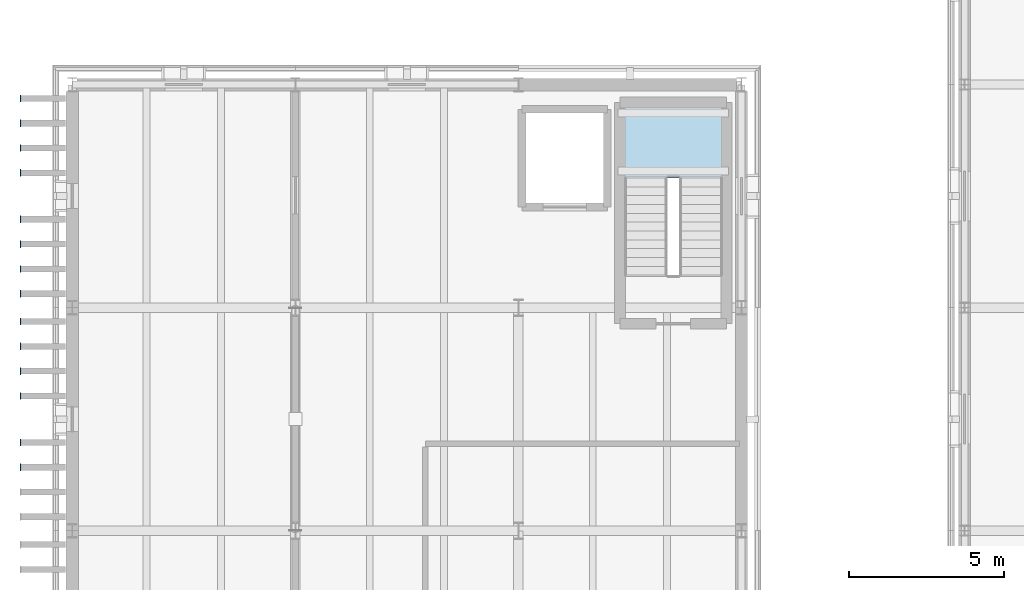
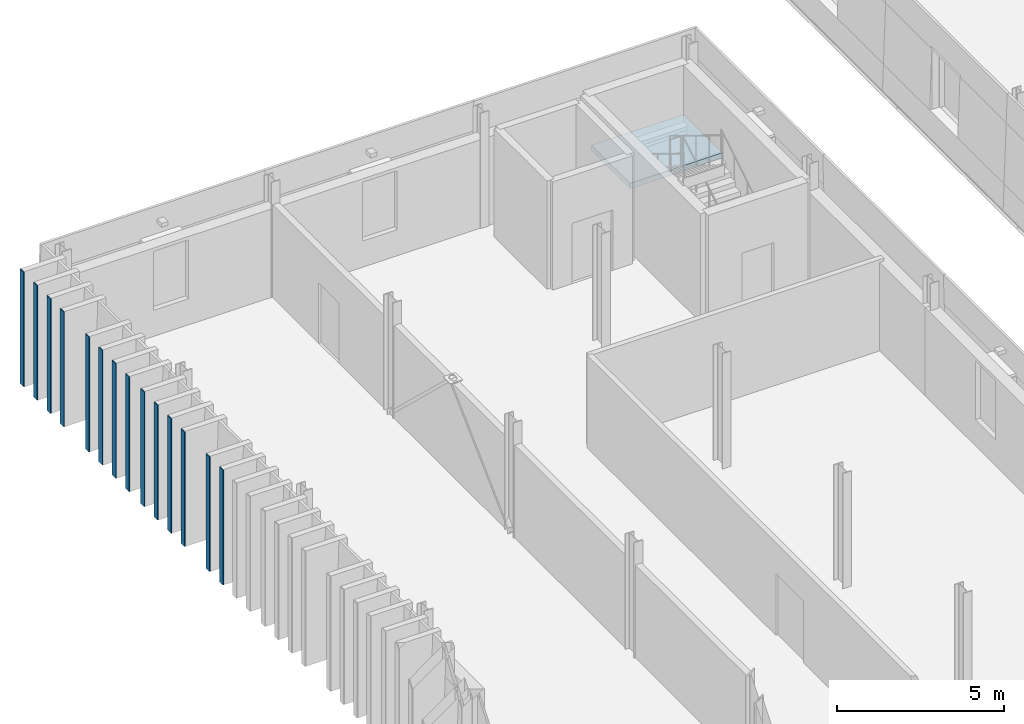
# One storey, part 47 of 91: 14 plates, 1 slab, 1 element without a shape of its own.
"""IFC4 building model written with IfcOpenShell, lengths in metres."""

from ifc_helpers import new_model, si_unit, direction, frame, origin, origin_2d, place, context, subcontext, project, spatial, polyline, rectangle, outline, extrude, material, layer, layer_set, type_object, element, aggregate, save


model = new_model("IFC4")

# Units and contexts
model_context = context("Model", 3, precision=1e-05, world=origin(), true_north=direction((0.0, 1.0)))
body_context = subcontext(model_context, "Body", "Model", "MODEL_VIEW")
ifc_project = project(units=[si_unit("LENGTHUNIT", "METRE"), si_unit("AREAUNIT", "SQUARE_METRE"), si_unit("VOLUMEUNIT", "CUBIC_METRE"), si_unit("PLANEANGLEUNIT", "RADIAN"), si_unit("MASSUNIT", "GRAM", prefix="KILO")], contexts=[model_context])

# Site, building, storey
site_placement = place(None, origin())
site = spatial("IfcSite", under=ifc_project, at=site_placement, CompositionType="ELEMENT")
building_placement = place(site_placement, origin())
building = spatial("IfcBuilding", under=site, at=building_placement, Name="Narikvali Park Central Library", CompositionType="ELEMENT")
storey_placement = place(building_placement, frame((0.0, 0.0, 14.39990234375)))
storey = spatial("IfcBuildingStorey", under=building, at=storey_placement, Name="L03", CompositionType="ELEMENT", Elevation=14.39990234375)

# Stair, slab
ifc_material_1 = material(Name="Concrete C35/45", Category="concrete")
stair_type = type_object("IfcStairType", Name="Core Enclosed Two-Flight Exit Stair", PredefinedType="HALF_TURN_STAIR", material=ifc_material_1)
stair_placement = place(storey_placement, origin())
stair = element("IfcStair", 1, at=stair_placement, inside=storey, type_object=stair_type, Name="L03 Exit Stair ST-10", PredefinedType="HALF_TURN_STAIR")
ifc_layer_1 = layer(ifc_material_1, 0.199951171875, Name="Concrete C35/45")
ifc_layer_set_1 = layer_set([ifc_layer_1], Name="Concrete C35/45")
slab_type = type_object("IfcSlabType", Name="Stair Half-Landing Concrete Slab 200", PredefinedType="LANDING", material=ifc_layer_set_1)
slab_placement = place(storey_placement, frame((0.0, 0.0, 1.900146484375)))
slab = element("IfcSlab", 2, at=slab_placement, type_object=slab_type, Name="ST-10 landing 1", PredefinedType="LANDING", context=body_context, shape_type="SweptSolid", body=[
    extrude(outline(polyline([(21.0, 104.985107421875), (21.0, 107.300048828125), (17.800048828125, 107.300048828125), (17.800048828125, 104.985107421875), (21.0, 104.985107421875)])), origin(), (0.0, 0.0, 1.0), 0.199951171875),
])
aggregate(stair, [slab])

# Plates
ifc_material_2 = material(Name="Anodised Bronze Aluminium", Category="aluminium")
ifc_layer_2 = layer(ifc_material_2, 0.028076171875, Name="Anodised Bronze Aluminium")
ifc_layer_set_2 = layer_set([ifc_layer_2], Name="Anodised Bronze Aluminium")
plate_type = type_object("IfcPlateType", Name="Vertical Brick Fin Bronze Bullnose Cap 28", PredefinedType="SHEET", material=ifc_layer_set_2)
for number, where, z_axis, x_axis, name in (
    (3, (-1.672119140625, 95.64990234375, 0.01025390625), (0.0, 0.0, 1.0), (1.0, 0.0, 0.0), "West Stacks Fin Bullnose Trim 424"),
    (4, (-1.672119140625, 96.449951171875, 0.01025390625), (0.0, 0.0, 1.0), (1.0, 0.0, 0.0), "West Stacks Fin Bullnose Trim 430"),
    (5, (-1.672119140625, 97.949951171875, 0.01025390625), (0.0, 0.0, 1.0), (1.0, 0.0, 0.0), "West Stacks Fin Bullnose Trim 436"),
    (6, (-1.672119140625, 98.75, 0.01025390625), (0.0, 0.0, 1.0), (1.0, 0.0, 0.0), "West Stacks Fin Bullnose Trim 442"),
    (7, (-1.672119140625, 99.550048828125, 0.01025390625), (0.0, 0.0, 1.0), (1.0, 0.0, 0.0), "West Stacks Fin Bullnose Trim 448"),
    (8, (-1.672119140625, 100.35009765625, 0.01025390625), (0.0, 0.0, 1.0), (1.0, 0.0, 0.0), "West Stacks Fin Bullnose Trim 454"),
    (9, (-1.672119140625, 101.25, 0.01025390625), (0.0, 0.0, 1.0), (1.0, 0.0, 0.0), "West Stacks Fin Bullnose Trim 460"),
    (10, (-1.672119140625, 102.050048828125, 0.01025390625), (0.0, 0.0, 1.0), (1.0, 0.0, 0.0), "West Stacks Fin Bullnose Trim 466"),
    (11, (-1.672119140625, 102.85009765625, 0.01025390625), (0.0, 0.0, 1.0), (1.0, 0.0, 0.0), "West Stacks Fin Bullnose Trim 472"),
    (12, (-1.672119140625, 103.64990234375, 0.01025390625), (0.0, 0.0, 1.0), (1.0, 0.0, 0.0), "West Stacks Fin Bullnose Trim 478"),
    (13, (-1.672119140625, 105.14990234375, 0.01025390625), (0.0, 0.0, 1.0), (1.0, 0.0, 0.0), "West Stacks Fin Bullnose Trim 484"),
    (14, (-1.672119140625, 105.949951171875, 0.01025390625), (0.0, 0.0, 1.0), (1.0, 0.0, 0.0), "West Stacks Fin Bullnose Trim 490"),
    (15, (-1.672119140625, 106.75, 0.01025390625), (0.0, 0.0, 1.0), (1.0, 0.0, 0.0), "West Stacks Fin Bullnose Trim 496"),
    (16, (-1.672119140625, 107.550048828125, 0.01025390625), (0.0, 0.0, 1.0), (1.0, 0.0, 0.0), "West Stacks Fin Bullnose Trim 502"),
):
    element("IfcPlate", number, at=place(storey_placement, frame(where, z_axis=z_axis, x_axis=x_axis)), inside=storey, type_object=plate_type, Name=name, PredefinedType="SHEET", context=body_context, shape_type="SweptSolid", body=[
        extrude(rectangle(XDim=0.028076171875, YDim=0.219970703125, at=origin_2d()), origin(), (0.0, 0.0, 1.0), 4.179931640625),
    ])

save(model, "model.ifc")
